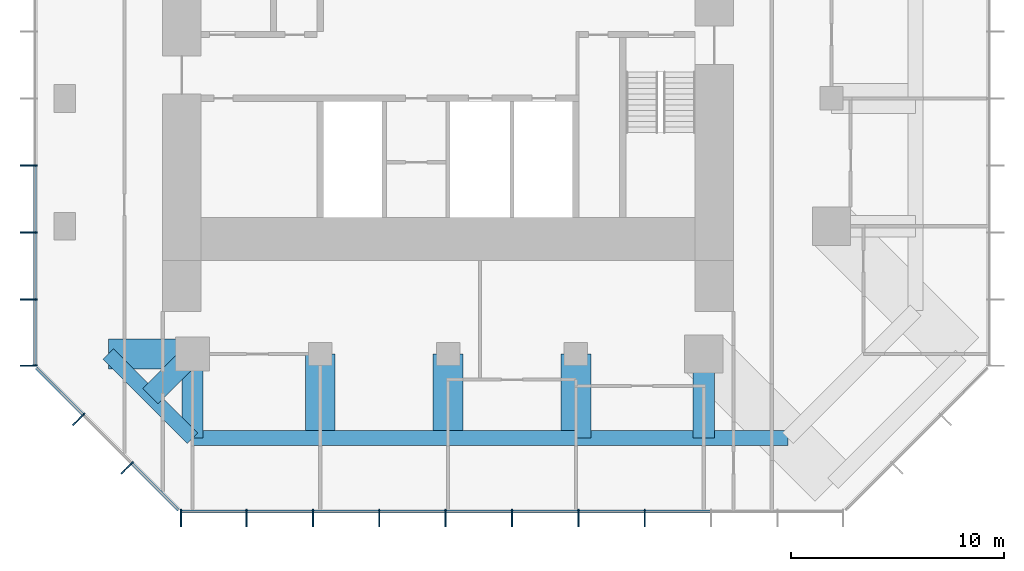
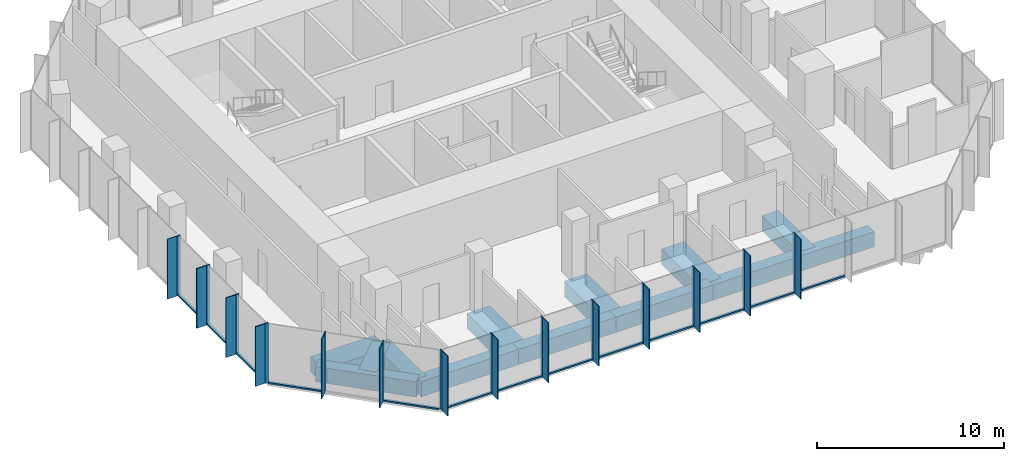
# One storey, part 2 of 11: 41 members, 12 beams, 3 elements without a shape of their own.
"""IFC4 building model written with IfcOpenShell, lengths in metres."""

from ifc_helpers import new_model, si_unit, direction, frame, origin, origin_2d, place, context, subcontext, project, spatial, rectangle, extrude, material, layer, layer_set, material_profile, profile_set, type_object, element, aggregate, save


model = new_model("IFC4")

# Units and contexts
model_context = context("Model", 3, precision=1e-05, world=origin(), true_north=direction((0.0, 1.0)))
body_context = subcontext(model_context, "Body", "Model", "MODEL_VIEW")
ifc_project = project(units=[si_unit("LENGTHUNIT", "METRE"), si_unit("AREAUNIT", "SQUARE_METRE"), si_unit("VOLUMEUNIT", "CUBIC_METRE"), si_unit("PLANEANGLEUNIT", "RADIAN"), si_unit("MASSUNIT", "GRAM", prefix="KILO")], contexts=[model_context])

# Site, building, storey
site_placement = place(None, origin())
site = spatial("IfcSite", under=ifc_project, at=site_placement, CompositionType="ELEMENT")
building_placement = place(site_placement, origin())
building = spatial("IfcBuilding", under=site, at=building_placement, Name="Highveld Stack Headquarters", CompositionType="ELEMENT")
storey_placement = place(building_placement, frame((0.0, 0.0, 272.300048828125)))
storey = spatial("IfcBuildingStorey", under=building, at=storey_placement, Name="L67", CompositionType="ELEMENT", Elevation=272.300048828125)

# Beams
ifc_material_1 = material(Name="Concrete C60/75", Category="concrete")
ifc_material_profile_1 = material_profile(ifc_material_1, rectangle(XDim=1.0, YDim=1.0, at=origin_2d()), Name="RC 1000x1000")
ifc_profile_set_1 = profile_set([ifc_material_profile_1], Name="Concrete C60/75")
beam_type_1 = type_object("IfcBeamType", Name="CANTILEVER RIB RC 1000x1000", PredefinedType="USERDEFINED", material=ifc_profile_set_1)
beam_1_placement = place(storey_placement, frame((-6.0, -12.0, -0.75), z_axis=(0.0, -1.0, 0.0), x_axis=(1.0, 0.0, 0.0)))
element("IfcBeam", 1, at=beam_1_placement, inside=storey, type_object=beam_type_1, Name="Cantilever rib 5/C L67", ObjectType="CANTILEVER RIB", PredefinedType="USERDEFINED", context=body_context, shape_type="SweptSolid", body=[
    extrude(rectangle(XDim=1.0, YDim=1.0, at=origin_2d()), origin(), (0.0, 0.0, 1.0), 3.949951171875),
])
beam_2_placement = place(storey_placement, frame((-6.0, -12.0, -0.75), z_axis=(-0.707106781187, -0.707106781187, 0.0), x_axis=(0.707106781187, -0.707106781187, 0.0)))
element("IfcBeam", 2, at=beam_2_placement, inside=storey, type_object=beam_type_1, Name="Cantilever rib 5/C L67", ObjectType="CANTILEVER RIB", PredefinedType="USERDEFINED", context=body_context, shape_type="SweptSolid", body=[
    extrude(rectangle(XDim=1.0, YDim=1.0, at=origin_2d()), origin(), (0.0, 0.0, 1.0), 2.793212890625),
])
beam_3_placement = place(storey_placement, frame((18.0, -12.0, -0.75), z_axis=(0.0, -1.0, 0.0), x_axis=(1.0, 0.0, 0.0)))
element("IfcBeam", 3, at=beam_3_placement, inside=storey, type_object=beam_type_1, Name="Cantilever rib 9/C L67", ObjectType="CANTILEVER RIB", PredefinedType="USERDEFINED", context=body_context, shape_type="SweptSolid", body=[
    extrude(rectangle(XDim=1.0, YDim=1.0, at=origin_2d()), origin(), (0.0, 0.0, 1.0), 3.949951171875),
])
ifc_material_2 = material(Name="Concrete C60/75", Category="concrete")
ifc_material_profile_2 = material_profile(ifc_material_2, rectangle(XDim=1.39990234375, YDim=1.0, at=origin_2d()), Name="RC 1400x1000")
ifc_profile_set_2 = profile_set([ifc_material_profile_2], Name="Concrete C60/75")
beam_type_2 = type_object("IfcBeamType", Name="CANTILEVER RIB RC 1400x1000", PredefinedType="USERDEFINED", material=ifc_profile_set_2)
for number, where, z_axis, x_axis, name in (
    (4, (-6.0, -12.0, -0.75), (-1.0, 0.0, 0.0), (0.0, -1.0, 0.0), "Cantilever rib 5/C L67"),
    (5, (0.0, -12.0, -0.75), (0.0, -1.0, 0.0), (1.0, 0.0, 0.0), "Cantilever rib 6/C L67"),
    (6, (6.0, -12.0, -0.75), (0.0, -1.0, 0.0), (1.0, 0.0, 0.0), "Cantilever rib 7/C L67"),
    (7, (12.0, -12.0, -0.75), (0.0, -1.0, 0.0), (1.0, 0.0, 0.0), "Cantilever rib 8/C L67"),
):
    element("IfcBeam", number, at=place(storey_placement, frame(where, z_axis=z_axis, x_axis=x_axis)), inside=storey, type_object=beam_type_2, Name=name, ObjectType="CANTILEVER RIB", PredefinedType="USERDEFINED", context=body_context, shape_type="SweptSolid", body=[
        extrude(rectangle(XDim=1.39990234375, YDim=1.0, at=origin_2d()), origin(), (0.0, 0.0, 1.0), 3.949951171875),
    ])

# Curtain wall, members
ifc_material_3 = material(Name="Aluminium bronze anodised", Category="aluminium")
ifc_layer = layer(ifc_material_3, 0.199951171875)
ifc_layer_set = layer_set([ifc_layer], Name="Aluminium bronze anodised")
curtain_wall_type = type_object("IfcCurtainWallType", Name="CW5 EXECUTIVE UNITISED CURTAIN WALL", PredefinedType="NOTDEFINED", material=ifc_layer_set)
curtain_wall_1_placement = place(storey_placement, origin())
curtain_wall_1 = element("IfcCurtainWall", 8, at=curtain_wall_1_placement, inside=storey, type_object=curtain_wall_type, Name="Curtain wall CW5 L67 S", PredefinedType="NOTDEFINED")
ifc_material_4 = material(Name="Aluminium bronze anodised", Category="aluminium")
ifc_material_profile_3 = material_profile(ifc_material_4, rectangle(XDim=0.60009765625, YDim=0.06005859375, at=origin_2d()), Name="FIN 600x60")
ifc_profile_set_3 = profile_set([ifc_material_profile_3], Name="Aluminium bronze anodised")
member_type_1 = type_object("IfcMemberType", Name="CW5 BRONZE FIN 600x60", PredefinedType="USERDEFINED", material=ifc_profile_set_3)
member_1_placement = place(storey_placement, frame((-6.54736328125, -19.800048828125, 0.0), z_axis=(0.0, 0.0, 1.0), x_axis=(0.0, 1.0, 0.0)))
member_1 = element("IfcMember", 9, at=member_1_placement, type_object=member_type_1, Name="CW5 fin L67 1", ObjectType="FIN", PredefinedType="USERDEFINED", context=body_context, shape_type="SweptSolid", body=[
    extrude(rectangle(XDim=0.60009765625, YDim=0.06005859375, at=origin_2d()), origin(), (0.0, 0.0, 1.0), 3.89990234375),
])
member_2_placement = place(storey_placement, frame((-3.4638671875, -19.800048828125, 0.0), z_axis=(0.0, 0.0, 1.0), x_axis=(0.0, 1.0, 0.0)))
member_2 = element("IfcMember", 10, at=member_2_placement, type_object=member_type_1, Name="CW5 fin L67 2", ObjectType="FIN", PredefinedType="USERDEFINED", context=body_context, shape_type="SweptSolid", body=[
    extrude(rectangle(XDim=0.60009765625, YDim=0.06005859375, at=origin_2d()), origin(), (0.0, 0.0, 1.0), 3.89990234375),
])
member_3_placement = place(storey_placement, frame((-0.347900390625, -19.800048828125, 0.0), z_axis=(0.0, 0.0, 1.0), x_axis=(0.0, 1.0, 0.0)))
member_3 = element("IfcMember", 11, at=member_3_placement, type_object=member_type_1, Name="CW5 fin L67 3", ObjectType="FIN", PredefinedType="USERDEFINED", context=body_context, shape_type="SweptSolid", body=[
    extrude(rectangle(XDim=0.60009765625, YDim=0.06005859375, at=origin_2d()), origin(), (0.0, 0.0, 1.0), 3.89990234375),
])
member_4_placement = place(storey_placement, frame((2.76806640625, -19.800048828125, 0.0), z_axis=(0.0, 0.0, 1.0), x_axis=(0.0, 1.0, 0.0)))
member_4 = element("IfcMember", 12, at=member_4_placement, type_object=member_type_1, Name="CW5 fin L67 4", ObjectType="FIN", PredefinedType="USERDEFINED", context=body_context, shape_type="SweptSolid", body=[
    extrude(rectangle(XDim=0.60009765625, YDim=0.06005859375, at=origin_2d()), origin(), (0.0, 0.0, 1.0), 3.89990234375),
])
member_5_placement = place(storey_placement, frame((5.884033203125, -19.800048828125, 0.0), z_axis=(0.0, 0.0, 1.0), x_axis=(0.0, 1.0, 0.0)))
member_5 = element("IfcMember", 13, at=member_5_placement, type_object=member_type_1, Name="CW5 fin L67 5", ObjectType="FIN", PredefinedType="USERDEFINED", context=body_context, shape_type="SweptSolid", body=[
    extrude(rectangle(XDim=0.60009765625, YDim=0.06005859375, at=origin_2d()), origin(), (0.0, 0.0, 1.0), 3.89990234375),
])
member_6_placement = place(storey_placement, frame((9.0, -19.800048828125, 0.0), z_axis=(0.0, 0.0, 1.0), x_axis=(0.0, 1.0, 0.0)))
member_6 = element("IfcMember", 14, at=member_6_placement, type_object=member_type_1, Name="CW5 fin L67 6", ObjectType="FIN", PredefinedType="USERDEFINED", context=body_context, shape_type="SweptSolid", body=[
    extrude(rectangle(XDim=0.60009765625, YDim=0.06005859375, at=origin_2d()), origin(), (0.0, 0.0, 1.0), 3.89990234375),
])
member_7_placement = place(storey_placement, frame((12.115966796875, -19.800048828125, 0.0), z_axis=(0.0, 0.0, 1.0), x_axis=(0.0, 1.0, 0.0)))
member_7 = element("IfcMember", 15, at=member_7_placement, type_object=member_type_1, Name="CW5 fin L67 7", ObjectType="FIN", PredefinedType="USERDEFINED", context=body_context, shape_type="SweptSolid", body=[
    extrude(rectangle(XDim=0.60009765625, YDim=0.06005859375, at=origin_2d()), origin(), (0.0, 0.0, 1.0), 3.89990234375),
])
member_8_placement = place(storey_placement, frame((15.23193359375, -19.800048828125, 0.0), z_axis=(0.0, 0.0, 1.0), x_axis=(0.0, 1.0, 0.0)))
member_8 = element("IfcMember", 16, at=member_8_placement, type_object=member_type_1, Name="CW5 fin L67 8", ObjectType="FIN", PredefinedType="USERDEFINED", context=body_context, shape_type="SweptSolid", body=[
    extrude(rectangle(XDim=0.60009765625, YDim=0.06005859375, at=origin_2d()), origin(), (0.0, 0.0, 1.0), 3.89990234375),
])

curtain_wall_2_placement = place(storey_placement, origin())
curtain_wall_2 = element("IfcCurtainWall", 17, at=curtain_wall_2_placement, inside=storey, type_object=curtain_wall_type, Name="Curtain wall CW5 L67 W", PredefinedType="NOTDEFINED")
member_9_placement = place(storey_placement, frame((-13.800048828125, -3.14501953125, 0.0), z_axis=(0.0, 0.0, 1.0), x_axis=(1.0, 0.0, 0.0)))
member_9 = element("IfcMember", 18, at=member_9_placement, type_object=member_type_1, Name="CW5 fin L67 6", ObjectType="FIN", PredefinedType="USERDEFINED", context=body_context, shape_type="SweptSolid", body=[
    extrude(rectangle(XDim=0.60009765625, YDim=0.06005859375, at=origin_2d()), origin(), (0.0, 0.0, 1.0), 3.89990234375),
])
member_10_placement = place(storey_placement, frame((-13.800048828125, -6.289794921875, 0.0), z_axis=(0.0, 0.0, 1.0), x_axis=(1.0, 0.0, 0.0)))
member_10 = element("IfcMember", 19, at=member_10_placement, type_object=member_type_1, Name="CW5 fin L67 7", ObjectType="FIN", PredefinedType="USERDEFINED", context=body_context, shape_type="SweptSolid", body=[
    extrude(rectangle(XDim=0.60009765625, YDim=0.06005859375, at=origin_2d()), origin(), (0.0, 0.0, 1.0), 3.89990234375),
])
member_11_placement = place(storey_placement, frame((-13.800048828125, -9.434814453125, 0.0), z_axis=(0.0, 0.0, 1.0), x_axis=(1.0, 0.0, 0.0)))
member_11 = element("IfcMember", 20, at=member_11_placement, type_object=member_type_1, Name="CW5 fin L67 8", ObjectType="FIN", PredefinedType="USERDEFINED", context=body_context, shape_type="SweptSolid", body=[
    extrude(rectangle(XDim=0.60009765625, YDim=0.06005859375, at=origin_2d()), origin(), (0.0, 0.0, 1.0), 3.89990234375),
])
member_12_placement = place(storey_placement, frame((-13.800048828125, -12.54736328125, 0.0), z_axis=(0.0, 0.0, 1.0), x_axis=(1.0, 0.0, 0.0)))
member_12 = element("IfcMember", 21, at=member_12_placement, type_object=member_type_1, Name="CW5 fin L67 9", ObjectType="FIN", PredefinedType="USERDEFINED", context=body_context, shape_type="SweptSolid", body=[
    extrude(rectangle(XDim=0.60009765625, YDim=0.06005859375, at=origin_2d()), origin(), (0.0, 0.0, 1.0), 3.89990234375),
])

curtain_wall_3_placement = place(storey_placement, origin())
curtain_wall_3 = element("IfcCurtainWall", 22, at=curtain_wall_3_placement, inside=storey, type_object=curtain_wall_type, Name="Curtain wall CW5 L67 SW", PredefinedType="NOTDEFINED")
member_13_placement = place(storey_placement, frame((-11.409423828125, -15.135986328125, 0.0), z_axis=(0.0, 0.0, 1.0), x_axis=(0.707106781187, 0.707106781187, 0.0)))
member_13 = element("IfcMember", 23, at=member_13_placement, type_object=member_type_1, Name="CW5 fin L67 1", ObjectType="FIN", PredefinedType="USERDEFINED", context=body_context, shape_type="SweptSolid", body=[
    extrude(rectangle(XDim=0.60009765625, YDim=0.06005859375, at=origin_2d()), origin(), (0.0, 0.0, 1.0), 3.89990234375),
])
member_14_placement = place(storey_placement, frame((-9.135986328125, -17.409423828125, 0.0), z_axis=(0.0, 0.0, 1.0), x_axis=(0.707106781187, 0.707106781187, 0.0)))
member_14 = element("IfcMember", 24, at=member_14_placement, type_object=member_type_1, Name="CW5 fin L67 2", ObjectType="FIN", PredefinedType="USERDEFINED", context=body_context, shape_type="SweptSolid", body=[
    extrude(rectangle(XDim=0.60009765625, YDim=0.06005859375, at=origin_2d()), origin(), (0.0, 0.0, 1.0), 3.89990234375),
])

# Member
ifc_material_5 = material(Name="Aluminium bronze anodised", Category="aluminium")
ifc_material_profile_4 = material_profile(ifc_material_5, rectangle(XDim=0.199951171875, YDim=0.06494140625, at=origin_2d()), Name="CW5 MULLION 65x200")
ifc_profile_set_4 = profile_set([ifc_material_profile_4], Name="Aluminium bronze anodised")
member_type_2 = type_object("IfcMemberType", Name="CW5 MULLION 65x200", PredefinedType="MULLION", material=ifc_profile_set_4)
member_15_placement = place(storey_placement, frame((-6.54736328125, -19.39990234375, 0.0), z_axis=(0.0, 0.0, 1.0), x_axis=(0.0, 1.0, 0.0)))
member_15 = element("IfcMember", 25, at=member_15_placement, type_object=member_type_2, Name="CW5 mullion L67 1", PredefinedType="MULLION", context=body_context, shape_type="SweptSolid", body=[
    extrude(rectangle(XDim=0.199951171875, YDim=0.06494140625, at=origin_2d()), origin(), (0.0, 0.0, 1.0), 3.89990234375),
])

member_16_placement = place(storey_placement, frame((-3.4638671875, -19.39990234375, 0.0), z_axis=(0.0, 0.0, 1.0), x_axis=(0.0, 1.0, 0.0)))
member_16 = element("IfcMember", 26, at=member_16_placement, type_object=member_type_2, Name="CW5 mullion L67 2", PredefinedType="MULLION", context=body_context, shape_type="SweptSolid", body=[
    extrude(rectangle(XDim=0.199951171875, YDim=0.06494140625, at=origin_2d()), origin(), (0.0, 0.0, 1.0), 3.89990234375),
])

member_17_placement = place(storey_placement, frame((-0.347900390625, -19.39990234375, 0.0), z_axis=(0.0, 0.0, 1.0), x_axis=(0.0, 1.0, 0.0)))
member_17 = element("IfcMember", 27, at=member_17_placement, type_object=member_type_2, Name="CW5 mullion L67 3", PredefinedType="MULLION", context=body_context, shape_type="SweptSolid", body=[
    extrude(rectangle(XDim=0.199951171875, YDim=0.06494140625, at=origin_2d()), origin(), (0.0, 0.0, 1.0), 3.89990234375),
])

member_18_placement = place(storey_placement, frame((2.76806640625, -19.39990234375, 0.0), z_axis=(0.0, 0.0, 1.0), x_axis=(0.0, 1.0, 0.0)))
member_18 = element("IfcMember", 28, at=member_18_placement, type_object=member_type_2, Name="CW5 mullion L67 4", PredefinedType="MULLION", context=body_context, shape_type="SweptSolid", body=[
    extrude(rectangle(XDim=0.199951171875, YDim=0.06494140625, at=origin_2d()), origin(), (0.0, 0.0, 1.0), 3.89990234375),
])

member_19_placement = place(storey_placement, frame((5.884033203125, -19.39990234375, 0.0), z_axis=(0.0, 0.0, 1.0), x_axis=(0.0, 1.0, 0.0)))
member_19 = element("IfcMember", 29, at=member_19_placement, type_object=member_type_2, Name="CW5 mullion L67 5", PredefinedType="MULLION", context=body_context, shape_type="SweptSolid", body=[
    extrude(rectangle(XDim=0.199951171875, YDim=0.06494140625, at=origin_2d()), origin(), (0.0, 0.0, 1.0), 3.89990234375),
])

member_20_placement = place(storey_placement, frame((9.0, -19.39990234375, 0.0), z_axis=(0.0, 0.0, 1.0), x_axis=(0.0, 1.0, 0.0)))
member_20 = element("IfcMember", 30, at=member_20_placement, type_object=member_type_2, Name="CW5 mullion L67 6", PredefinedType="MULLION", context=body_context, shape_type="SweptSolid", body=[
    extrude(rectangle(XDim=0.199951171875, YDim=0.06494140625, at=origin_2d()), origin(), (0.0, 0.0, 1.0), 3.89990234375),
])

member_21_placement = place(storey_placement, frame((12.115966796875, -19.39990234375, 0.0), z_axis=(0.0, 0.0, 1.0), x_axis=(0.0, 1.0, 0.0)))
member_21 = element("IfcMember", 31, at=member_21_placement, type_object=member_type_2, Name="CW5 mullion L67 7", PredefinedType="MULLION", context=body_context, shape_type="SweptSolid", body=[
    extrude(rectangle(XDim=0.199951171875, YDim=0.06494140625, at=origin_2d()), origin(), (0.0, 0.0, 1.0), 3.89990234375),
])

member_22_placement = place(storey_placement, frame((15.23193359375, -19.39990234375, 0.0), z_axis=(0.0, 0.0, 1.0), x_axis=(0.0, 1.0, 0.0)))
member_22 = element("IfcMember", 32, at=member_22_placement, type_object=member_type_2, Name="CW5 mullion L67 8", PredefinedType="MULLION", context=body_context, shape_type="SweptSolid", body=[
    extrude(rectangle(XDim=0.199951171875, YDim=0.06494140625, at=origin_2d()), origin(), (0.0, 0.0, 1.0), 3.89990234375),
])

member_23_placement = place(storey_placement, frame((-13.39990234375, -3.14501953125, 0.0), z_axis=(0.0, 0.0, 1.0), x_axis=(1.0, 0.0, 0.0)))
member_23 = element("IfcMember", 33, at=member_23_placement, type_object=member_type_2, Name="CW5 mullion L67 6", PredefinedType="MULLION", context=body_context, shape_type="SweptSolid", body=[
    extrude(rectangle(XDim=0.199951171875, YDim=0.06494140625, at=origin_2d()), origin(), (0.0, 0.0, 1.0), 3.89990234375),
])

member_24_placement = place(storey_placement, frame((-13.39990234375, -6.289794921875, 0.0), z_axis=(0.0, 0.0, 1.0), x_axis=(1.0, 0.0, 0.0)))
member_24 = element("IfcMember", 34, at=member_24_placement, type_object=member_type_2, Name="CW5 mullion L67 7", PredefinedType="MULLION", context=body_context, shape_type="SweptSolid", body=[
    extrude(rectangle(XDim=0.199951171875, YDim=0.06494140625, at=origin_2d()), origin(), (0.0, 0.0, 1.0), 3.89990234375),
])

member_25_placement = place(storey_placement, frame((-13.39990234375, -9.434814453125, 0.0), z_axis=(0.0, 0.0, 1.0), x_axis=(1.0, 0.0, 0.0)))
member_25 = element("IfcMember", 35, at=member_25_placement, type_object=member_type_2, Name="CW5 mullion L67 8", PredefinedType="MULLION", context=body_context, shape_type="SweptSolid", body=[
    extrude(rectangle(XDim=0.199951171875, YDim=0.06494140625, at=origin_2d()), origin(), (0.0, 0.0, 1.0), 3.89990234375),
])

member_26_placement = place(storey_placement, frame((-13.39990234375, -12.54736328125, 0.0), z_axis=(0.0, 0.0, 1.0), x_axis=(1.0, 0.0, 0.0)))
member_26 = element("IfcMember", 36, at=member_26_placement, type_object=member_type_2, Name="CW5 mullion L67 9", PredefinedType="MULLION", context=body_context, shape_type="SweptSolid", body=[
    extrude(rectangle(XDim=0.199951171875, YDim=0.06494140625, at=origin_2d()), origin(), (0.0, 0.0, 1.0), 3.89990234375),
])

member_27_placement = place(storey_placement, frame((-11.126708984375, -14.853271484375, 0.0), z_axis=(0.0, 0.0, 1.0), x_axis=(0.707106781187, 0.707106781187, 0.0)))
member_27 = element("IfcMember", 37, at=member_27_placement, type_object=member_type_2, Name="CW5 mullion L67 1", PredefinedType="MULLION", context=body_context, shape_type="SweptSolid", body=[
    extrude(rectangle(XDim=0.199951171875, YDim=0.06494140625, at=origin_2d()), origin(), (0.0, 0.0, 1.0), 3.89990234375),
])

member_28_placement = place(storey_placement, frame((-8.853271484375, -17.126708984375, 0.0), z_axis=(0.0, 0.0, 1.0), x_axis=(0.707106781187, 0.707106781187, 0.0)))
member_28 = element("IfcMember", 38, at=member_28_placement, type_object=member_type_2, Name="CW5 mullion L67 2", PredefinedType="MULLION", context=body_context, shape_type="SweptSolid", body=[
    extrude(rectangle(XDim=0.199951171875, YDim=0.06494140625, at=origin_2d()), origin(), (0.0, 0.0, 1.0), 3.89990234375),
])

ifc_material_6 = material(Name="Aluminium bronze anodised", Category="aluminium")
ifc_material_profile_5 = material_profile(ifc_material_6, rectangle(XDim=0.14990234375, YDim=0.10009765625, at=origin_2d()), Name="CW5 TRANSOM 150x100")
ifc_profile_set_5 = profile_set([ifc_material_profile_5], Name="Aluminium bronze anodised")
member_type_3 = type_object("IfcMemberType", Name="CW5 STACK TRANSOM 150x100", PredefinedType="USERDEFINED", material=ifc_profile_set_5)
member_29_placement = place(storey_placement, frame((-6.514892578125, -19.39990234375, 0.050048828125), z_axis=(1.0, 0.0, 0.0), x_axis=(0.0, 1.0, 0.0)))
member_29 = element("IfcMember", 39, at=member_29_placement, type_object=member_type_3, Name="CW5 transom L67 1.1", ObjectType="TRANSOM", PredefinedType="USERDEFINED", context=body_context, shape_type="SweptSolid", body=[
    extrude(rectangle(XDim=0.14990234375, YDim=0.10009765625, at=origin_2d()), origin(), (0.0, 0.0, 1.0), 3.0185546875),
])

member_30_placement = place(storey_placement, frame((-3.431396484375, -19.39990234375, 0.050048828125), z_axis=(1.0, 0.0, 0.0), x_axis=(0.0, 1.0, 0.0)))
member_30 = element("IfcMember", 40, at=member_30_placement, type_object=member_type_3, Name="CW5 transom L67 2.1", ObjectType="TRANSOM", PredefinedType="USERDEFINED", context=body_context, shape_type="SweptSolid", body=[
    extrude(rectangle(XDim=0.14990234375, YDim=0.10009765625, at=origin_2d()), origin(), (0.0, 0.0, 1.0), 3.051025390625),
])

member_31_placement = place(storey_placement, frame((-0.3154296875, -19.39990234375, 0.050048828125), z_axis=(1.0, 0.0, 0.0), x_axis=(0.0, 1.0, 0.0)))
member_31 = element("IfcMember", 41, at=member_31_placement, type_object=member_type_3, Name="CW5 transom L67 3.1", ObjectType="TRANSOM", PredefinedType="USERDEFINED", context=body_context, shape_type="SweptSolid", body=[
    extrude(rectangle(XDim=0.14990234375, YDim=0.10009765625, at=origin_2d()), origin(), (0.0, 0.0, 1.0), 3.051025390625),
])

member_32_placement = place(storey_placement, frame((2.800537109375, -19.39990234375, 0.050048828125), z_axis=(1.0, 0.0, 0.0), x_axis=(0.0, 1.0, 0.0)))
member_32 = element("IfcMember", 42, at=member_32_placement, type_object=member_type_3, Name="CW5 transom L67 4.1", ObjectType="TRANSOM", PredefinedType="USERDEFINED", context=body_context, shape_type="SweptSolid", body=[
    extrude(rectangle(XDim=0.14990234375, YDim=0.10009765625, at=origin_2d()), origin(), (0.0, 0.0, 1.0), 3.051025390625),
])

member_33_placement = place(storey_placement, frame((5.91650390625, -19.39990234375, 0.050048828125), z_axis=(1.0, 0.0, 0.0), x_axis=(0.0, 1.0, 0.0)))
member_33 = element("IfcMember", 43, at=member_33_placement, type_object=member_type_3, Name="CW5 transom L67 5.1", ObjectType="TRANSOM", PredefinedType="USERDEFINED", context=body_context, shape_type="SweptSolid", body=[
    extrude(rectangle(XDim=0.14990234375, YDim=0.10009765625, at=origin_2d()), origin(), (0.0, 0.0, 1.0), 3.051025390625),
])

member_34_placement = place(storey_placement, frame((9.032470703125, -19.39990234375, 0.050048828125), z_axis=(1.0, 0.0, 0.0), x_axis=(0.0, 1.0, 0.0)))
member_34 = element("IfcMember", 44, at=member_34_placement, type_object=member_type_3, Name="CW5 transom L67 6.1", ObjectType="TRANSOM", PredefinedType="USERDEFINED", context=body_context, shape_type="SweptSolid", body=[
    extrude(rectangle(XDim=0.14990234375, YDim=0.10009765625, at=origin_2d()), origin(), (0.0, 0.0, 1.0), 3.051025390625),
])

member_35_placement = place(storey_placement, frame((12.1484375, -19.39990234375, 0.050048828125), z_axis=(1.0, 0.0, 0.0), x_axis=(0.0, 1.0, 0.0)))
member_35 = element("IfcMember", 45, at=member_35_placement, type_object=member_type_3, Name="CW5 transom L67 7.1", ObjectType="TRANSOM", PredefinedType="USERDEFINED", context=body_context, shape_type="SweptSolid", body=[
    extrude(rectangle(XDim=0.14990234375, YDim=0.10009765625, at=origin_2d()), origin(), (0.0, 0.0, 1.0), 3.051025390625),
])

member_36_placement = place(storey_placement, frame((15.264404296875, -19.39990234375, 0.050048828125), z_axis=(1.0, 0.0, 0.0), x_axis=(0.0, 1.0, 0.0)))
member_36 = element("IfcMember", 46, at=member_36_placement, type_object=member_type_3, Name="CW5 transom L67 8.1", ObjectType="TRANSOM", PredefinedType="USERDEFINED", context=body_context, shape_type="SweptSolid", body=[
    extrude(rectangle(XDim=0.14990234375, YDim=0.10009765625, at=origin_2d()), origin(), (0.0, 0.0, 1.0), 3.051025390625),
])

aggregate(curtain_wall_1, [member_15, member_1, member_16, member_2, member_17, member_3, member_18, member_4, member_19, member_5, member_20, member_6, member_21, member_7, member_22, member_8, member_29, member_30, member_31, member_32, member_33, member_34, member_35, member_36])

member_37_placement = place(storey_placement, frame((-13.39990234375, -3.177490234375, 0.050048828125), z_axis=(0.0, -1.0, 0.0), x_axis=(1.0, 0.0, 0.0)))
member_37 = element("IfcMember", 47, at=member_37_placement, type_object=member_type_3, Name="CW5 transom L67 6.1", ObjectType="TRANSOM", PredefinedType="USERDEFINED", context=body_context, shape_type="SweptSolid", body=[
    extrude(rectangle(XDim=0.14990234375, YDim=0.10009765625, at=origin_2d()), origin(), (0.0, 0.0, 1.0), 3.080078125),
])

member_38_placement = place(storey_placement, frame((-13.39990234375, -6.322509765625, 0.050048828125), z_axis=(0.0, -1.0, 0.0), x_axis=(1.0, 0.0, 0.0)))
member_38 = element("IfcMember", 48, at=member_38_placement, type_object=member_type_3, Name="CW5 transom L67 7.1", ObjectType="TRANSOM", PredefinedType="USERDEFINED", context=body_context, shape_type="SweptSolid", body=[
    extrude(rectangle(XDim=0.14990234375, YDim=0.10009765625, at=origin_2d()), origin(), (0.0, 0.0, 1.0), 3.079833984375),
])

member_39_placement = place(storey_placement, frame((-13.39990234375, -9.46728515625, 0.050048828125), z_axis=(0.0, -1.0, 0.0), x_axis=(1.0, 0.0, 0.0)))
member_39 = element("IfcMember", 49, at=member_39_placement, type_object=member_type_3, Name="CW5 transom L67 8.1", ObjectType="TRANSOM", PredefinedType="USERDEFINED", context=body_context, shape_type="SweptSolid", body=[
    extrude(rectangle(XDim=0.14990234375, YDim=0.10009765625, at=origin_2d()), origin(), (0.0, 0.0, 1.0), 3.047607421875),
])

aggregate(curtain_wall_2, [member_23, member_9, member_24, member_10, member_25, member_11, member_26, member_12, member_37, member_38, member_39])

member_40_placement = place(storey_placement, frame((-13.329345703125, -12.650634765625, 0.050048828125), z_axis=(0.707106781187, -0.707106781187, 0.0), x_axis=(0.707106781187, 0.707106781187, 0.0)))
member_40 = element("IfcMember", 50, at=member_40_placement, type_object=member_type_3, Name="CW5 transom L67 1.1", ObjectType="TRANSOM", PredefinedType="USERDEFINED", context=body_context, shape_type="SweptSolid", body=[
    extrude(rectangle(XDim=0.14990234375, YDim=0.10009765625, at=origin_2d()), origin(), (0.0, 0.0, 1.0), 3.08251953125),
])

member_41_placement = place(storey_placement, frame((-8.830322265625, -17.149658203125, 0.050048828125), z_axis=(0.707106781187, -0.707106781187, 0.0), x_axis=(0.707106781187, 0.707106781187, 0.0)))
member_41 = element("IfcMember", 51, at=member_41_placement, type_object=member_type_3, Name="CW5 transom L67 3.1", ObjectType="TRANSOM", PredefinedType="USERDEFINED", context=body_context, shape_type="SweptSolid", body=[
    extrude(rectangle(XDim=0.14990234375, YDim=0.10009765625, at=origin_2d()), origin(), (0.0, 0.0, 1.0), 3.08251953125),
])

aggregate(curtain_wall_3, [member_27, member_13, member_28, member_14, member_40, member_41])

# Beams
ifc_material_7 = material(Name="Concrete C60/75", Category="concrete")
ifc_material_profile_6 = material_profile(ifc_material_7, rectangle(XDim=0.699951171875, YDim=1.0, at=origin_2d()), Name="RC 700x1000")
ifc_profile_set_6 = profile_set([ifc_material_profile_6], Name="Concrete C60/75")
beam_type_3 = type_object("IfcBeamType", Name="RIB TIP BEAM RC 700x1000", PredefinedType="SPANDREL", material=ifc_profile_set_6)
for number, where, z_axis, x_axis, name in (
    (52, (-6.0, -15.949951171875, -0.75), (1.0, 0.0, 0.0), (0.0, 1.0, 0.0), "Rib tip beam 5/C to 6/C L67"),
    (53, (0.0, -15.949951171875, -0.75), (1.0, 0.0, 0.0), (0.0, 1.0, 0.0), "Rib tip beam 6/C to 7/C L67"),
    (54, (6.0, -15.949951171875, -0.75), (1.0, 0.0, 0.0), (0.0, 1.0, 0.0), "Rib tip beam 7/C to 8/C L67"),
):
    element("IfcBeam", number, at=place(storey_placement, frame(where, z_axis=z_axis, x_axis=x_axis)), inside=storey, type_object=beam_type_3, Name=name, PredefinedType="SPANDREL", context=body_context, shape_type="SweptSolid", body=[
        extrude(rectangle(XDim=0.699951171875, YDim=1.0, at=origin_2d()), origin(), (0.0, 0.0, 1.0), 6.0),
    ])
beam_4_placement = place(storey_placement, frame((12.0, -15.949951171875, -0.75), z_axis=(1.0, 0.0, 0.0), x_axis=(0.0, 1.0, 0.0)))
element("IfcBeam", 55, at=beam_4_placement, inside=storey, type_object=beam_type_3, Name="Rib tip beam 8/C to 9/C L67", PredefinedType="SPANDREL", context=body_context, shape_type="SweptSolid", body=[
    extrude(rectangle(XDim=0.699951171875, YDim=1.0, at=origin_2d()), origin(), (0.0, 0.0, 1.0), 9.949951171875),
])
beam_5_placement = place(storey_placement, frame((-9.949951171875, -12.0, -0.75), z_axis=(0.707106781187, -0.707106781187, 0.0), x_axis=(0.707106781187, 0.707106781187, 0.0)))
element("IfcBeam", 56, at=beam_5_placement, inside=storey, type_object=beam_type_3, Name="Rib tip beam 5/C corner L67", PredefinedType="SPANDREL", context=body_context, shape_type="SweptSolid", body=[
    extrude(rectangle(XDim=0.699951171875, YDim=1.0, at=origin_2d()), origin(), (0.0, 0.0, 1.0), 5.586181640625),
])

save(model, "model.ifc")
